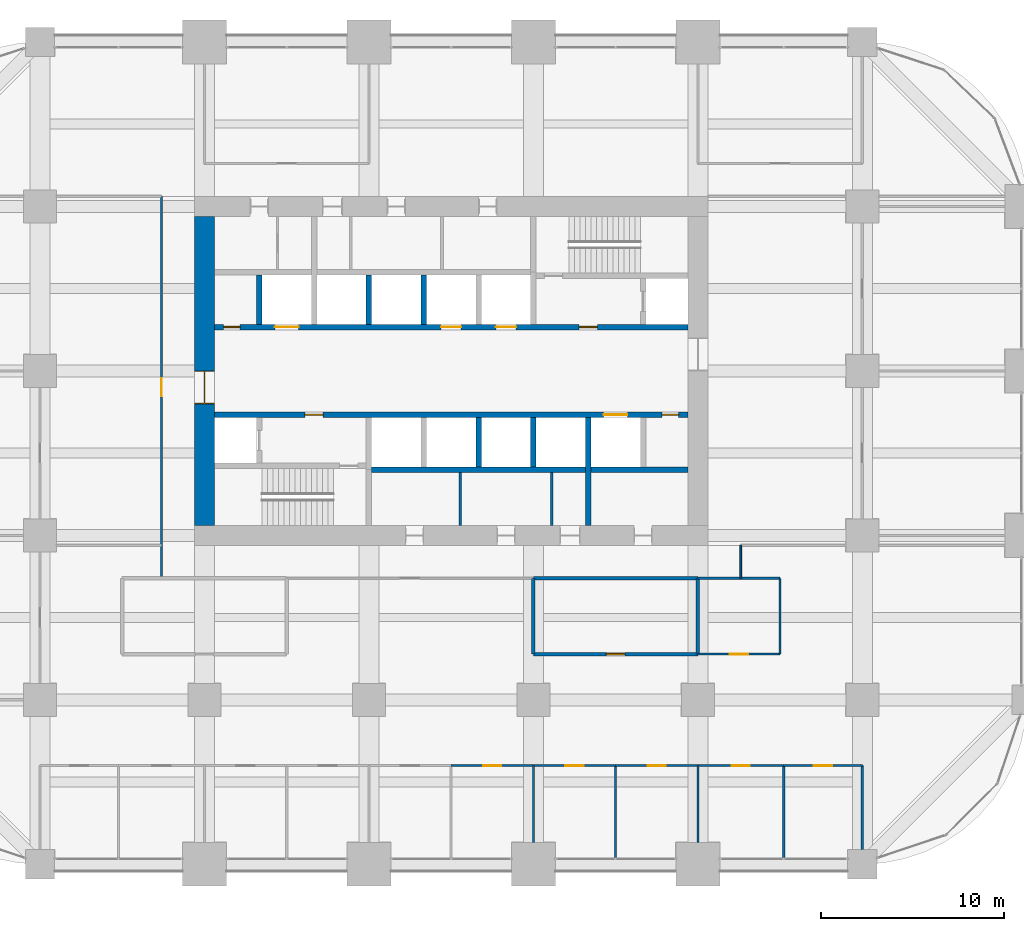
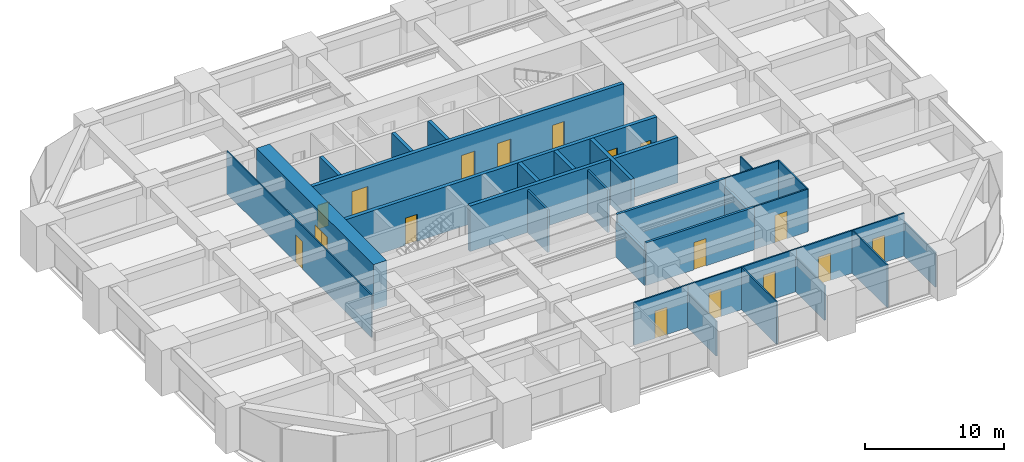
# One storey, part 37 of 40: 31 walls, 17 doors, 17 openings.
"""IFC4 building model written with IfcOpenShell, lengths in metres."""

from ifc_helpers import new_model, si_unit, direction, frame, frame_2d, origin, place, context, subcontext, project, spatial, rectangle, extrude, material, layer, layer_set, type_object, element, fill, save


model = new_model("IFC4")

# Units and contexts
model_context = context("Model", 3, precision=1e-05, world=origin(), true_north=direction((0.0, 1.0)))
body_context = subcontext(model_context, "Body", "Model", "MODEL_VIEW")
ifc_project = project(units=[si_unit("LENGTHUNIT", "METRE"), si_unit("AREAUNIT", "SQUARE_METRE"), si_unit("VOLUMEUNIT", "CUBIC_METRE"), si_unit("PLANEANGLEUNIT", "RADIAN"), si_unit("MASSUNIT", "GRAM", prefix="KILO")], contexts=[model_context])

# Site, building, storey
site_placement = place(None, origin())
site = spatial("IfcSite", under=ifc_project, at=site_placement, CompositionType="ELEMENT")
building_placement = place(site_placement, origin())
building = spatial("IfcBuilding", under=site, at=building_placement, Name="Zorevar Civic Tower", CompositionType="ELEMENT")
storey_placement = place(building_placement, frame((0.0, 0.0, 133.0)))
storey = spatial("IfcBuildingStorey", under=building, at=storey_placement, Name="L32", CompositionType="ELEMENT", Elevation=133.0)

# Wall, opening, door
ifc_material_1 = material(Name="Concrete blockwork", Category="masonry")
ifc_layer_1 = layer(ifc_material_1, 0.199951171875)
ifc_layer_set_1 = layer_set([ifc_layer_1], Name="Blockwork wall 200")
wall_type_1 = type_object("IfcWallType", Name="Blockwork wall 200", PredefinedType="SOLIDWALL", material=ifc_layer_set_1)
wall_1_placement = place(storey_placement, frame((36.0, 11.5, 0.0), z_axis=(0.0, 0.0, 1.0), x_axis=(1.0, 0.0, 0.0)))
wall_1 = element("IfcWall", 1, at=wall_1_placement, inside=storey, type_object=wall_type_1, Name="Blockwork wall 200 L32", PredefinedType="SOLIDWALL", context=body_context, shape_type="SweptSolid", body=[
    extrude(rectangle(XDim=9.0, YDim=0.199951171875, at=frame_2d((4.5, 0.0))), origin(), (0.0, 0.0, 1.0), 3.75),
])
opening_1_placement = place(wall_1_placement, frame((4.0, 0.0, 0.0)))
opening_1 = element("IfcOpeningElement", 2, at=opening_1_placement, cuts=wall_1, Name="Opening L32.28", PredefinedType="OPENING", context=body_context, shape_type="SweptSolid", body=[
    extrude(rectangle(XDim=1.0, YDim=2.39990234375, at=frame_2d((0.5, 1.199951171875))), frame((0.0, 0.10986328125, 0.0), z_axis=(0.0, -1.0, 0.0), x_axis=(1.0, 0.0, 0.0)), (0.0, 0.0, 1.0), 0.219970703125),
])
ifc_material_2 = material(Name="Steel door set", Category="steel")
door_type_1 = type_object("IfcDoorType", Name="Security door SD1 1000x2400", OperationType="SINGLE_SWING_LEFT", PredefinedType="DOOR", material=ifc_material_2)
door_1_placement = place(opening_1_placement, origin())
door_1 = element("IfcDoor", 3, at=door_1_placement, inside=storey, type_object=door_type_1, Name="Door L32 D1", OperationType="SINGLE_SWING_RIGHT", OverallHeight=2.39990234375, OverallWidth=1.0, PredefinedType="DOOR", context=body_context, shape_type="SweptSolid", body=[
    extrude(rectangle(XDim=1.0, YDim=2.39990234375, at=frame_2d((0.5, 1.199951171875))), frame((0.0, 0.03515625, 0.0), z_axis=(0.0, -1.0, 0.0), x_axis=(1.0, 0.0, 0.0)), (0.0, 0.0, 1.0), 0.070068359375),
])
fill(opening_1, door_1)

# Walls
wall_2_placement = place(storey_placement, frame((36.0, 15.64990234375, 0.0), z_axis=(0.0, 0.0, 1.0), x_axis=(1.0, 0.0, 0.0)))
element("IfcWall", 4, at=wall_2_placement, inside=storey, type_object=wall_type_1, Name="Blockwork wall 200 L32", PredefinedType="SOLIDWALL", context=body_context, shape_type="SweptSolid", body=[
    extrude(rectangle(XDim=9.0, YDim=0.199951171875, at=frame_2d((4.5, 0.0))), origin(), (0.0, 0.0, 1.0), 3.75),
])
for number, where, z_axis, x_axis, name in (
    (5, (36.0, 11.5, 0.0), (0.0, 0.0, 1.0), (0.0, 1.0, 0.0), "Blockwork wall 200 L32"),
    (6, (45.0, 11.5, 0.0), (0.0, 0.0, 1.0), (0.0, 1.0, 0.0), "Blockwork wall 200 L32"),
):
    element("IfcWall", number, at=place(storey_placement, frame(where, z_axis=z_axis, x_axis=x_axis)), inside=storey, type_object=wall_type_1, Name=name, PredefinedType="SOLIDWALL", context=body_context, shape_type="SweptSolid", body=[
        extrude(rectangle(XDim=4.14990234375, YDim=0.199951171875, at=frame_2d((2.074951171875, 0.0))), origin(), (0.0, 0.0, 1.0), 3.050048828125),
    ])

# Wall, opening, door
ifc_material_3 = material(Name="Concrete C50/60", Category="concrete")
ifc_layer_2 = layer(ifc_material_3, 1.10009765625)
ifc_layer_set_2 = layer_set([ifc_layer_2], Name="Core wall 1100")
wall_type_2 = type_object("IfcWallType", Name="Core wall 1100", PredefinedType="SHEAR", material=ifc_layer_set_2)
wall_3_placement = place(storey_placement, frame((18.0, 35.449951171875, 0.0), z_axis=(0.0, 0.0, 1.0), x_axis=(0.0, -1.0, 0.0)))
wall_3 = element("IfcWall", 7, at=wall_3_placement, inside=storey, type_object=wall_type_2, Name="Core wall W L32", PredefinedType="SHEAR", context=body_context, shape_type="SweptSolid", body=[
    extrude(rectangle(XDim=16.89990234375, YDim=1.10009765625, at=frame_2d((8.449951171875, 0.0))), origin(), (0.0, 0.0, 1.0), 4.0),
])
opening_2_placement = place(wall_3_placement, frame((8.449951171875, 0.0, 0.0)))
opening_2 = element("IfcOpeningElement", 8, at=opening_2_placement, cuts=wall_3, Name="Opening L32.01", PredefinedType="OPENING", context=body_context, shape_type="SweptSolid", body=[
    extrude(rectangle(XDim=1.800048828125, YDim=2.39990234375, at=frame_2d((0.89990234375, 1.199951171875))), frame((0.0, 0.56005859375, 0.0), z_axis=(0.0, -1.0, 0.0), x_axis=(1.0, 0.0, 0.0)), (0.0, 0.0, 1.0), 1.1201171875),
])
ifc_material_4 = material(Name="Steel door set", Category="steel")
door_type_2 = type_object("IfcDoorType", Name="Fire door FD2 1800x2400", OperationType="DOUBLE_DOOR_DOUBLE_SWING", PredefinedType="DOOR", material=ifc_material_4)
door_2_placement = place(opening_2_placement, origin())
door_2 = element("IfcDoor", 9, at=door_2_placement, inside=storey, type_object=door_type_2, Name="Door L32 00", OperationType="DOUBLE_DOOR_DOUBLE_SWING", OverallHeight=2.39990234375, OverallWidth=1.800048828125, PredefinedType="DOOR", context=body_context, shape_type="SweptSolid", body=[
    extrude(rectangle(XDim=1.800048828125, YDim=2.39990234375, at=frame_2d((0.89990234375, 1.199951171875))), frame((0.0, 0.030029296875, 0.0), z_axis=(0.0, -1.0, 0.0), x_axis=(1.0, 0.0, 0.0)), (0.0, 0.0, 1.0), 0.06005859375),
    extrude(rectangle(XDim=0.04, YDim=2.39990234375, at=frame_2d((0.02001953125, 1.199951171875))), frame((0.0, 0.5498046875, 0.0), z_axis=(0.0, -1.0, 0.0), x_axis=(1.0, 0.0, 0.0)), (0.0, 0.0, 1.0), 1.099609375),
    extrude(rectangle(XDim=0.04, YDim=2.39990234375, at=frame_2d((1.780029296875, 1.199951171875))), frame((0.0, 0.5498046875, 0.0), z_axis=(0.0, -1.0, 0.0), x_axis=(1.0, 0.0, 0.0)), (0.0, 0.0, 1.0), 1.099609375),
    extrude(rectangle(XDim=1.800048828125, YDim=0.04, at=frame_2d((0.89990234375, 2.3798828125))), frame((0.0, 0.5498046875, 0.0), z_axis=(0.0, -1.0, 0.0), x_axis=(1.0, 0.0, 0.0)), (0.0, 0.0, 1.0), 1.099609375),
])
fill(opening_2, door_2)

ifc_material_5 = material(Name="Laminated glass in black aluminium frame", Category="aluminium")
ifc_layer_3 = layer(ifc_material_5, 0.10009765625)
ifc_layer_set_3 = layer_set([ifc_layer_3], Name="Glazed partition 100")
wall_type_3 = type_object("IfcWallType", Name="Glazed partition 100", PredefinedType="PARTITIONING", material=ifc_layer_set_3)
wall_4_placement = place(storey_placement, frame((15.64990234375, 15.64990234375, 0.0), z_axis=(0.0, 0.0, 1.0), x_axis=(0.0, 1.0, 0.0)))
wall_4 = element("IfcWall", 10, at=wall_4_placement, inside=storey, type_object=wall_type_3, Name="Glazed partition 100 L32", PredefinedType="PARTITIONING", context=body_context, shape_type="SweptSolid", body=[
    extrude(rectangle(XDim=20.900146484375, YDim=0.10009765625, at=frame_2d((10.4501953125, 0.0))), origin(), (0.0, 0.0, 1.0), 3.75),
])
opening_3_placement = place(wall_4_placement, frame((9.949951171875, 0.0, 0.0)))
opening_3 = element("IfcOpeningElement", 11, at=opening_3_placement, cuts=wall_4, Name="Opening L32.35", PredefinedType="OPENING", context=body_context, shape_type="SweptSolid", body=[
    extrude(rectangle(XDim=1.0, YDim=2.39990234375, at=frame_2d((0.5, 1.199951171875))), frame((0.0, 0.06005859375, 0.0), z_axis=(0.0, -1.0, 0.0), x_axis=(1.0, 0.0, 0.0)), (0.0, 0.0, 1.0), 0.1201171875),
])
ifc_material_6 = material(Name="Timber door set", Category="wood")
door_type_3 = type_object("IfcDoorType", Name="Glazed door GD1 1000x2400", OperationType="SINGLE_SWING_LEFT", PredefinedType="DOOR", material=ifc_material_6)
door_3_placement = place(opening_3_placement, origin())
door_3 = element("IfcDoor", 12, at=door_3_placement, inside=storey, type_object=door_type_3, Name="Door L32 D1", OperationType="SINGLE_SWING_RIGHT", OverallHeight=2.39990234375, OverallWidth=1.0, PredefinedType="DOOR", context=body_context, shape_type="SweptSolid", body=[
    extrude(rectangle(XDim=1.0, YDim=2.39990234375, at=frame_2d((0.5, 1.199951171875))), frame((0.0, 0.02001953125, 0.0), z_axis=(0.0, -1.0, 0.0), x_axis=(1.0, 0.0, 0.0)), (0.0, 0.0, 1.0), 0.0400390625),
])
fill(opening_3, door_3)

# Wall
wall_5_placement = place(storey_placement, frame((47.35009765625, 15.64990234375, 0.0), z_axis=(0.0, 0.0, 1.0), x_axis=(0.0, 1.0, 0.0)))
element("IfcWall", 13, at=wall_5_placement, inside=storey, type_object=wall_type_3, Name="Glazed partition 100 L32", PredefinedType="PARTITIONING", context=body_context, shape_type="SweptSolid", body=[
    extrude(rectangle(XDim=1.800048828125, YDim=0.10009765625, at=frame_2d((0.89990234375, 0.0))), origin(), (0.0, 0.0, 1.0), 3.75),
])

# Wall, openings, doors
ifc_material_7 = material(Name="Concrete C40/50", Category="concrete")
ifc_layer_4 = layer(ifc_material_7, 0.300048828125)
ifc_layer_set_4 = layer_set([ifc_layer_4], Name="Inner core wall 300")
wall_type_4 = type_object("IfcWallType", Name="Inner core wall 300", PredefinedType="SHEAR", material=ifc_layer_set_4)
wall_6_placement = place(storey_placement, frame((18.550048828125, 24.60009765625, 0.0), z_axis=(0.0, 0.0, 1.0), x_axis=(1.0, 0.0, 0.0)))
wall_6 = element("IfcWall", 14, at=wall_6_placement, inside=storey, type_object=wall_type_4, Name="Inner core wall S03 L32", PredefinedType="SHEAR", context=body_context, shape_type="SweptSolid", body=[
    extrude(rectangle(XDim=25.89990234375, YDim=0.300048828125, at=frame_2d((12.949951171875, 0.0))), origin(), (0.0, 0.0, 1.0), 4.0),
])
opening_4_placement = place(wall_6_placement, frame((4.949951171875, 0.0, 0.0)))
opening_4 = element("IfcOpeningElement", 15, at=opening_4_placement, cuts=wall_6, Name="Opening L32.13", PredefinedType="OPENING", context=body_context, shape_type="SweptSolid", body=[
    extrude(rectangle(XDim=1.0, YDim=2.39990234375, at=frame_2d((0.5, 1.199951171875))), frame((0.0, 0.159912109375, 0.0), z_axis=(0.0, -1.0, 0.0), x_axis=(1.0, 0.0, 0.0)), (0.0, 0.0, 1.0), 0.320068359375),
])
opening_5_placement = place(wall_6_placement, frame((24.5, 0.0, 0.0)))
opening_5 = element("IfcOpeningElement", 16, at=opening_5_placement, cuts=wall_6, Name="Opening L32.15", PredefinedType="OPENING", context=body_context, shape_type="SweptSolid", body=[
    extrude(rectangle(XDim=0.89990234375, YDim=2.10009765625, at=frame_2d((0.449951171875, 1.050048828125))), frame((0.0, 0.159912109375, 0.0), z_axis=(0.0, -1.0, 0.0), x_axis=(1.0, 0.0, 0.0)), (0.0, 0.0, 1.0), 0.320068359375),
])
opening_6_placement = place(wall_6_placement, frame((21.300048828125, 0.0, 0.0)))
opening_6 = element("IfcOpeningElement", 17, at=opening_6_placement, cuts=wall_6, Name="Opening L32.SL1", PredefinedType="OPENING", context=body_context, shape_type="SweptSolid", body=[
    extrude(rectangle(XDim=1.300048828125, YDim=2.39990234375, at=frame_2d((0.64990234375, 1.199951171875))), frame((0.0, 0.159912109375, 0.0), z_axis=(0.0, -1.0, 0.0), x_axis=(1.0, 0.0, 0.0)), (0.0, 0.0, 1.0), 0.320068359375),
])
ifc_material_8 = material(Name="Steel door set", Category="steel")
door_type_4 = type_object("IfcDoorType", Name="Fire door FD1 1000x2400", OperationType="SINGLE_SWING_LEFT", PredefinedType="DOOR", material=ifc_material_8)
door_4_placement = place(opening_4_placement, origin())
door_4 = element("IfcDoor", 18, at=door_4_placement, inside=storey, type_object=door_type_4, Name="Door L32 12", OperationType="SINGLE_SWING_RIGHT", OverallHeight=2.39990234375, OverallWidth=1.0, PredefinedType="DOOR", context=body_context, shape_type="SweptSolid", body=[
    extrude(rectangle(XDim=1.0, YDim=2.39990234375, at=frame_2d((0.5, 1.199951171875))), frame((0.0, 0.030029296875, 0.0), z_axis=(0.0, -1.0, 0.0), x_axis=(1.0, 0.0, 0.0)), (0.0, 0.0, 1.0), 0.06005859375),
])
fill(opening_4, door_4)
ifc_material_9 = material(Name="Steel door set", Category="steel")
door_type_5 = type_object("IfcDoorType", Name="Landing door LD2 1300x2400", OperationType="DOUBLE_DOOR_SLIDING", PredefinedType="DOOR", material=ifc_material_9)
door_5_placement = place(opening_6_placement, origin())
door_5 = element("IfcDoor", 19, at=door_5_placement, inside=storey, type_object=door_type_5, Name="Landing door SL1 L32", OperationType="DOUBLE_DOOR_SLIDING", OverallHeight=2.39990234375, OverallWidth=1.300048828125, PredefinedType="DOOR", context=body_context, shape_type="SweptSolid", body=[
    extrude(rectangle(XDim=1.300048828125, YDim=2.39990234375, at=frame_2d((0.64990234375, 1.199951171875))), frame((0.0, 0.02001953125, 0.0), z_axis=(0.0, -1.0, 0.0), x_axis=(1.0, 0.0, 0.0)), (0.0, 0.0, 1.0), 0.0400390625),
])
fill(opening_6, door_5)
ifc_material_10 = material(Name="Steel door set", Category="steel")
door_type_6 = type_object("IfcDoorType", Name="Riser door RD1 900x2100", OperationType="SINGLE_SWING_LEFT", PredefinedType="DOOR", material=ifc_material_10)
door_6_placement = place(opening_5_placement, origin())
door_6 = element("IfcDoor", 20, at=door_6_placement, inside=storey, type_object=door_type_6, Name="Door L32 14", OperationType="SINGLE_SWING_RIGHT", OverallHeight=2.10009765625, OverallWidth=0.89990234375, PredefinedType="DOOR", context=body_context, shape_type="SweptSolid", body=[
    extrude(rectangle(XDim=0.89990234375, YDim=2.10009765625, at=frame_2d((0.449951171875, 1.050048828125))), frame((0.0, 0.030029296875, 0.0), z_axis=(0.0, -1.0, 0.0), x_axis=(1.0, 0.0, 0.0)), (0.0, 0.0, 1.0), 0.06005859375),
])
fill(opening_5, door_6)

wall_7_placement = place(storey_placement, frame((18.550048828125, 29.39990234375, 0.0), z_axis=(0.0, 0.0, 1.0), x_axis=(1.0, 0.0, 0.0)))
wall_7 = element("IfcWall", 21, at=wall_7_placement, inside=storey, type_object=wall_type_4, Name="Inner core wall N03 L32", PredefinedType="SHEAR", context=body_context, shape_type="SweptSolid", body=[
    extrude(rectangle(XDim=25.89990234375, YDim=0.300048828125, at=frame_2d((12.949951171875, 0.0))), origin(), (0.0, 0.0, 1.0), 4.0),
])
opening_7_placement = place(wall_7_placement, frame((19.949951171875, 0.0, 0.0)))
opening_7 = element("IfcOpeningElement", 22, at=opening_7_placement, cuts=wall_7, Name="Opening L32.14", PredefinedType="OPENING", context=body_context, shape_type="SweptSolid", body=[
    extrude(rectangle(XDim=1.0, YDim=2.39990234375, at=frame_2d((0.5, 1.199951171875))), frame((0.0, 0.159912109375, 0.0), z_axis=(0.0, -1.0, 0.0), x_axis=(1.0, 0.0, 0.0)), (0.0, 0.0, 1.0), 0.320068359375),
])
opening_8_placement = place(wall_7_placement, frame((0.5, 0.0, 0.0)))
opening_8 = element("IfcOpeningElement", 23, at=opening_8_placement, cuts=wall_7, Name="Opening L32.16", PredefinedType="OPENING", context=body_context, shape_type="SweptSolid", body=[
    extrude(rectangle(XDim=0.89990234375, YDim=2.10009765625, at=frame_2d((0.449951171875, 1.050048828125))), frame((0.0, 0.159912109375, 0.0), z_axis=(0.0, -1.0, 0.0), x_axis=(1.0, 0.0, 0.0)), (0.0, 0.0, 1.0), 0.320068359375),
])
opening_9_placement = place(wall_7_placement, frame((15.39990234375, 0.0, 0.0)))
opening_9 = element("IfcOpeningElement", 24, at=opening_9_placement, cuts=wall_7, Name="Opening L32.LM1", PredefinedType="OPENING", context=body_context, shape_type="SweptSolid", body=[
    extrude(rectangle(XDim=1.10009765625, YDim=2.39990234375, at=frame_2d((0.550048828125, 1.199951171875))), frame((0.0, 0.159912109375, 0.0), z_axis=(0.0, -1.0, 0.0), x_axis=(1.0, 0.0, 0.0)), (0.0, 0.0, 1.0), 0.320068359375),
])
opening_10_placement = place(wall_7_placement, frame((12.39990234375, 0.0, 0.0)))
opening_10 = element("IfcOpeningElement", 25, at=opening_10_placement, cuts=wall_7, Name="Opening L32.LM2", PredefinedType="OPENING", context=body_context, shape_type="SweptSolid", body=[
    extrude(rectangle(XDim=1.10009765625, YDim=2.39990234375, at=frame_2d((0.550048828125, 1.199951171875))), frame((0.0, 0.159912109375, 0.0), z_axis=(0.0, -1.0, 0.0), x_axis=(1.0, 0.0, 0.0)), (0.0, 0.0, 1.0), 0.320068359375),
])
opening_11_placement = place(wall_7_placement, frame((3.300048828125, 0.0, 0.0)))
opening_11 = element("IfcOpeningElement", 26, at=opening_11_placement, cuts=wall_7, Name="Opening L32.SL2", PredefinedType="OPENING", context=body_context, shape_type="SweptSolid", body=[
    extrude(rectangle(XDim=1.300048828125, YDim=2.39990234375, at=frame_2d((0.64990234375, 1.199951171875))), frame((0.0, 0.159912109375, 0.0), z_axis=(0.0, -1.0, 0.0), x_axis=(1.0, 0.0, 0.0)), (0.0, 0.0, 1.0), 0.320068359375),
])
door_7_placement = place(opening_7_placement, origin())
door_7 = element("IfcDoor", 27, at=door_7_placement, inside=storey, type_object=door_type_4, Name="Door L32 13", OperationType="SINGLE_SWING_RIGHT", OverallHeight=2.39990234375, OverallWidth=1.0, PredefinedType="DOOR", context=body_context, shape_type="SweptSolid", body=[
    extrude(rectangle(XDim=1.0, YDim=2.39990234375, at=frame_2d((0.5, 1.199951171875))), frame((0.0, 0.030029296875, 0.0), z_axis=(0.0, -1.0, 0.0), x_axis=(1.0, 0.0, 0.0)), (0.0, 0.0, 1.0), 0.06005859375),
])
fill(opening_7, door_7)
ifc_material_11 = material(Name="Steel door set", Category="steel")
door_type_7 = type_object("IfcDoorType", Name="Landing door LD1 1100x2400", OperationType="DOUBLE_DOOR_SLIDING", PredefinedType="DOOR", material=ifc_material_11)
door_8_placement = place(opening_9_placement, origin())
door_8 = element("IfcDoor", 28, at=door_8_placement, inside=storey, type_object=door_type_7, Name="Landing door LM1 L32", OperationType="DOUBLE_DOOR_SLIDING", OverallHeight=2.39990234375, OverallWidth=1.10009765625, PredefinedType="DOOR", context=body_context, shape_type="SweptSolid", body=[
    extrude(rectangle(XDim=1.10009765625, YDim=2.39990234375, at=frame_2d((0.550048828125, 1.199951171875))), frame((0.0, 0.02001953125, 0.0), z_axis=(0.0, -1.0, 0.0), x_axis=(1.0, 0.0, 0.0)), (0.0, 0.0, 1.0), 0.0400390625),
])
fill(opening_9, door_8)
door_9_placement = place(opening_10_placement, origin())
door_9 = element("IfcDoor", 29, at=door_9_placement, inside=storey, type_object=door_type_7, Name="Landing door LM2 L32", OperationType="DOUBLE_DOOR_SLIDING", OverallHeight=2.39990234375, OverallWidth=1.10009765625, PredefinedType="DOOR", context=body_context, shape_type="SweptSolid", body=[
    extrude(rectangle(XDim=1.10009765625, YDim=2.39990234375, at=frame_2d((0.550048828125, 1.199951171875))), frame((0.0, 0.02001953125, 0.0), z_axis=(0.0, -1.0, 0.0), x_axis=(1.0, 0.0, 0.0)), (0.0, 0.0, 1.0), 0.0400390625),
])
fill(opening_10, door_9)
door_10_placement = place(opening_11_placement, origin())
door_10 = element("IfcDoor", 30, at=door_10_placement, inside=storey, type_object=door_type_5, Name="Landing door SL2 L32", OperationType="DOUBLE_DOOR_SLIDING", OverallHeight=2.39990234375, OverallWidth=1.300048828125, PredefinedType="DOOR", context=body_context, shape_type="SweptSolid", body=[
    extrude(rectangle(XDim=1.300048828125, YDim=2.39990234375, at=frame_2d((0.64990234375, 1.199951171875))), frame((0.0, 0.02001953125, 0.0), z_axis=(0.0, -1.0, 0.0), x_axis=(1.0, 0.0, 0.0)), (0.0, 0.0, 1.0), 0.0400390625),
])
fill(opening_11, door_10)
door_11_placement = place(opening_8_placement, origin())
door_11 = element("IfcDoor", 31, at=door_11_placement, inside=storey, type_object=door_type_6, Name="Door L32 15", OperationType="SINGLE_SWING_RIGHT", OverallHeight=2.10009765625, OverallWidth=0.89990234375, PredefinedType="DOOR", context=body_context, shape_type="SweptSolid", body=[
    extrude(rectangle(XDim=0.89990234375, YDim=2.10009765625, at=frame_2d((0.449951171875, 1.050048828125))), frame((0.0, 0.030029296875, 0.0), z_axis=(0.0, -1.0, 0.0), x_axis=(1.0, 0.0, 0.0)), (0.0, 0.0, 1.0), 0.06005859375),
])
fill(opening_8, door_11)

# Walls
wall_8_placement = place(storey_placement, frame((27.14990234375, 21.60009765625, 0.0), z_axis=(0.0, 0.0, 1.0), x_axis=(1.0, 0.0, 0.0)))
element("IfcWall", 32, at=wall_8_placement, inside=storey, type_object=wall_type_4, Name="Inner core wall S04 L32", PredefinedType="SHEAR", context=body_context, shape_type="SweptSolid", body=[
    extrude(rectangle(XDim=17.300048828125, YDim=0.300048828125, at=frame_2d((8.64990234375, 0.0))), origin(), (0.0, 0.0, 1.0), 4.0),
])
for number, where, z_axis, x_axis, name in (
    (33, (33.0, 21.75, 0.0), (0.0, 0.0, 1.0), (0.0, 1.0, 0.0), "Inner core wall S06 L32"),
    (34, (30.0, 29.550048828125, 0.0), (0.0, 0.0, 1.0), (0.0, 1.0, 0.0), "Inner core wall N06 L32"),
    (35, (36.0, 21.75, 0.0), (0.0, 0.0, 1.0), (0.0, 1.0, 0.0), "Inner core wall S07 L32"),
    (36, (27.0, 29.550048828125, 0.0), (0.0, 0.0, 1.0), (0.0, 1.0, 0.0), "Inner core wall N07 L32"),
):
    element("IfcWall", number, at=place(storey_placement, frame(where, z_axis=z_axis, x_axis=x_axis)), inside=storey, type_object=wall_type_4, Name=name, PredefinedType="SHEAR", context=body_context, shape_type="SweptSolid", body=[
        extrude(rectangle(XDim=2.699951171875, YDim=0.300048828125, at=frame_2d((1.35009765625, 0.0))), origin(), (0.0, 0.0, 1.0), 4.0),
    ])
wall_9_placement = place(storey_placement, frame((39.0, 18.550048828125, 0.0), z_axis=(0.0, 0.0, 1.0), x_axis=(0.0, 1.0, 0.0)))
element("IfcWall", 37, at=wall_9_placement, inside=storey, type_object=wall_type_4, Name="Inner core wall S08 L32", PredefinedType="SHEAR", context=body_context, shape_type="SweptSolid", body=[
    extrude(rectangle(XDim=5.89990234375, YDim=0.300048828125, at=frame_2d((2.949951171875, 0.0))), origin(), (0.0, 0.0, 1.0), 4.0),
])
wall_10_placement = place(storey_placement, frame((21.0, 29.550048828125, 0.0), z_axis=(0.0, 0.0, 1.0), x_axis=(0.0, 1.0, 0.0)))
element("IfcWall", 38, at=wall_10_placement, inside=storey, type_object=wall_type_4, Name="Inner core wall N09 L32", PredefinedType="SHEAR", context=body_context, shape_type="SweptSolid", body=[
    extrude(rectangle(XDim=2.699951171875, YDim=0.300048828125, at=frame_2d((1.35009765625, 0.0))), origin(), (0.0, 0.0, 1.0), 4.0),
])

# Wall, opening, door
ifc_material_12 = material(Name="Gypsum board on steel studs", Category="steel")
ifc_layer_5 = layer(ifc_material_12, 0.1201171875)
ifc_layer_set_5 = layer_set([ifc_layer_5], Name="Partition 120")
wall_type_5 = type_object("IfcWallType", Name="Partition 120", PredefinedType="PARTITIONING", material=ifc_layer_set_5)
wall_11_placement = place(storey_placement, frame((31.5, 5.39990234375, 0.0), z_axis=(0.0, 0.0, 1.0), x_axis=(1.0, 0.0, 0.0)))
wall_11 = element("IfcWall", 39, at=wall_11_placement, inside=storey, type_object=wall_type_5, Name="Partition 120 L32", PredefinedType="PARTITIONING", context=body_context, shape_type="SweptSolid", body=[
    extrude(rectangle(XDim=4.5, YDim=0.1201171875, at=frame_2d((2.25, 0.0))), origin(), (0.0, 0.0, 1.0), 3.75),
])
opening_12_placement = place(wall_11_placement, frame((1.75, 0.0, 0.0)))
opening_12 = element("IfcOpeningElement", 40, at=opening_12_placement, cuts=wall_11, Name="Opening L32.22", PredefinedType="OPENING", context=body_context, shape_type="SweptSolid", body=[
    extrude(rectangle(XDim=1.0, YDim=2.39990234375, at=frame_2d((0.5, 1.199951171875))), frame((0.0, 0.070068359375, 0.0), z_axis=(0.0, -1.0, 0.0), x_axis=(1.0, 0.0, 0.0)), (0.0, 0.0, 1.0), 0.14013671875),
])
ifc_material_13 = material(Name="Timber door set", Category="wood")
door_type_8 = type_object("IfcDoorType", Name="Door D1 1000x2400", OperationType="SINGLE_SWING_LEFT", PredefinedType="DOOR", material=ifc_material_13)
door_12_placement = place(opening_12_placement, origin())
door_12 = element("IfcDoor", 41, at=door_12_placement, inside=storey, type_object=door_type_8, Name="Door L32 D1", OperationType="SINGLE_SWING_LEFT", OverallHeight=2.39990234375, OverallWidth=1.0, PredefinedType="DOOR", context=body_context, shape_type="SweptSolid", body=[
    extrude(rectangle(XDim=1.0, YDim=2.39990234375, at=frame_2d((0.5, 1.199951171875))), frame((0.0, 0.02490234375, 0.0), z_axis=(0.0, -1.0, 0.0), x_axis=(1.0, 0.0, 0.0)), (0.0, 0.0, 1.0), 0.050048828125),
])
fill(opening_12, door_12)

wall_12_placement = place(storey_placement, frame((36.0, 5.39990234375, 0.0), z_axis=(0.0, 0.0, 1.0), x_axis=(1.0, 0.0, 0.0)))
wall_12 = element("IfcWall", 42, at=wall_12_placement, inside=storey, type_object=wall_type_5, Name="Partition 120 L32", PredefinedType="PARTITIONING", context=body_context, shape_type="SweptSolid", body=[
    extrude(rectangle(XDim=4.5, YDim=0.1201171875, at=frame_2d((2.25, 0.0))), origin(), (0.0, 0.0, 1.0), 3.75),
])
opening_13_placement = place(wall_12_placement, frame((1.75, 0.0, 0.0)))
opening_13 = element("IfcOpeningElement", 43, at=opening_13_placement, cuts=wall_12, Name="Opening L32.23", PredefinedType="OPENING", context=body_context, shape_type="SweptSolid", body=[
    extrude(rectangle(XDim=1.0, YDim=2.39990234375, at=frame_2d((0.5, 1.199951171875))), frame((0.0, 0.070068359375, 0.0), z_axis=(0.0, -1.0, 0.0), x_axis=(1.0, 0.0, 0.0)), (0.0, 0.0, 1.0), 0.14013671875),
])
door_13_placement = place(opening_13_placement, origin())
door_13 = element("IfcDoor", 44, at=door_13_placement, inside=storey, type_object=door_type_8, Name="Door L32 D1", OperationType="SINGLE_SWING_LEFT", OverallHeight=2.39990234375, OverallWidth=1.0, PredefinedType="DOOR", context=body_context, shape_type="SweptSolid", body=[
    extrude(rectangle(XDim=1.0, YDim=2.39990234375, at=frame_2d((0.5, 1.199951171875))), frame((0.0, 0.02490234375, 0.0), z_axis=(0.0, -1.0, 0.0), x_axis=(1.0, 0.0, 0.0)), (0.0, 0.0, 1.0), 0.050048828125),
])
fill(opening_13, door_13)

wall_13_placement = place(storey_placement, frame((40.5, 5.39990234375, 0.0), z_axis=(0.0, 0.0, 1.0), x_axis=(1.0, 0.0, 0.0)))
wall_13 = element("IfcWall", 45, at=wall_13_placement, inside=storey, type_object=wall_type_5, Name="Partition 120 L32", PredefinedType="PARTITIONING", context=body_context, shape_type="SweptSolid", body=[
    extrude(rectangle(XDim=4.5, YDim=0.1201171875, at=frame_2d((2.25, 0.0))), origin(), (0.0, 0.0, 1.0), 3.75),
])
opening_14_placement = place(wall_13_placement, frame((1.75, 0.0, 0.0)))
opening_14 = element("IfcOpeningElement", 46, at=opening_14_placement, cuts=wall_13, Name="Opening L32.24", PredefinedType="OPENING", context=body_context, shape_type="SweptSolid", body=[
    extrude(rectangle(XDim=1.0, YDim=2.39990234375, at=frame_2d((0.5, 1.199951171875))), frame((0.0, 0.070068359375, 0.0), z_axis=(0.0, -1.0, 0.0), x_axis=(1.0, 0.0, 0.0)), (0.0, 0.0, 1.0), 0.14013671875),
])
door_14_placement = place(opening_14_placement, origin())
door_14 = element("IfcDoor", 47, at=door_14_placement, inside=storey, type_object=door_type_8, Name="Door L32 D1", OperationType="SINGLE_SWING_LEFT", OverallHeight=2.39990234375, OverallWidth=1.0, PredefinedType="DOOR", context=body_context, shape_type="SweptSolid", body=[
    extrude(rectangle(XDim=1.0, YDim=2.39990234375, at=frame_2d((0.5, 1.199951171875))), frame((0.0, 0.02490234375, 0.0), z_axis=(0.0, -1.0, 0.0), x_axis=(1.0, 0.0, 0.0)), (0.0, 0.0, 1.0), 0.050048828125),
])
fill(opening_14, door_14)

wall_14_placement = place(storey_placement, frame((45.0, 5.39990234375, 0.0), z_axis=(0.0, 0.0, 1.0), x_axis=(1.0, 0.0, 0.0)))
wall_14 = element("IfcWall", 48, at=wall_14_placement, inside=storey, type_object=wall_type_5, Name="Partition 120 L32", PredefinedType="PARTITIONING", context=body_context, shape_type="SweptSolid", body=[
    extrude(rectangle(XDim=4.699951171875, YDim=0.1201171875, at=frame_2d((2.35009765625, 0.0))), origin(), (0.0, 0.0, 1.0), 3.75),
])
opening_15_placement = place(wall_14_placement, frame((1.85009765625, 0.0, 0.0)))
opening_15 = element("IfcOpeningElement", 49, at=opening_15_placement, cuts=wall_14, Name="Opening L32.25", PredefinedType="OPENING", context=body_context, shape_type="SweptSolid", body=[
    extrude(rectangle(XDim=1.0, YDim=2.39990234375, at=frame_2d((0.5, 1.199951171875))), frame((0.0, 0.070068359375, 0.0), z_axis=(0.0, -1.0, 0.0), x_axis=(1.0, 0.0, 0.0)), (0.0, 0.0, 1.0), 0.14013671875),
])
door_15_placement = place(opening_15_placement, origin())
door_15 = element("IfcDoor", 50, at=door_15_placement, inside=storey, type_object=door_type_8, Name="Door L32 D1", OperationType="SINGLE_SWING_LEFT", OverallHeight=2.39990234375, OverallWidth=1.0, PredefinedType="DOOR", context=body_context, shape_type="SweptSolid", body=[
    extrude(rectangle(XDim=1.0, YDim=2.39990234375, at=frame_2d((0.5, 1.199951171875))), frame((0.0, 0.02490234375, 0.0), z_axis=(0.0, -1.0, 0.0), x_axis=(1.0, 0.0, 0.0)), (0.0, 0.0, 1.0), 0.050048828125),
])
fill(opening_15, door_15)

wall_15_placement = place(storey_placement, frame((49.699951171875, 5.39990234375, 0.0), z_axis=(0.0, 0.0, 1.0), x_axis=(1.0, 0.0, 0.0)))
wall_15 = element("IfcWall", 51, at=wall_15_placement, inside=storey, type_object=wall_type_5, Name="Partition 120 L32", PredefinedType="PARTITIONING", context=body_context, shape_type="SweptSolid", body=[
    extrude(rectangle(XDim=4.300048828125, YDim=0.1201171875, at=frame_2d((2.14990234375, 0.0))), origin(), (0.0, 0.0, 1.0), 3.75),
])
opening_16_placement = place(wall_15_placement, frame((1.64990234375, 0.0, 0.0)))
opening_16 = element("IfcOpeningElement", 52, at=opening_16_placement, cuts=wall_15, Name="Opening L32.26", PredefinedType="OPENING", context=body_context, shape_type="SweptSolid", body=[
    extrude(rectangle(XDim=1.0, YDim=2.39990234375, at=frame_2d((0.5, 1.199951171875))), frame((0.0, 0.070068359375, 0.0), z_axis=(0.0, -1.0, 0.0), x_axis=(1.0, 0.0, 0.0)), (0.0, 0.0, 1.0), 0.14013671875),
])
door_16_placement = place(opening_16_placement, origin())
door_16 = element("IfcDoor", 53, at=door_16_placement, inside=storey, type_object=door_type_8, Name="Door L32 D1", OperationType="SINGLE_SWING_LEFT", OverallHeight=2.39990234375, OverallWidth=1.0, PredefinedType="DOOR", context=body_context, shape_type="SweptSolid", body=[
    extrude(rectangle(XDim=1.0, YDim=2.39990234375, at=frame_2d((0.5, 1.199951171875))), frame((0.0, 0.02490234375, 0.0), z_axis=(0.0, -1.0, 0.0), x_axis=(1.0, 0.0, 0.0)), (0.0, 0.0, 1.0), 0.050048828125),
])
fill(opening_16, door_16)

wall_16_placement = place(storey_placement, frame((45.0, 11.5, 0.0), z_axis=(0.0, 0.0, 1.0), x_axis=(1.0, 0.0, 0.0)))
wall_16 = element("IfcWall", 54, at=wall_16_placement, inside=storey, type_object=wall_type_5, Name="Partition 120 L32", PredefinedType="PARTITIONING", context=body_context, shape_type="SweptSolid", body=[
    extrude(rectangle(XDim=4.5, YDim=0.1201171875, at=frame_2d((2.25, 0.0))), origin(), (0.0, 0.0, 1.0), 3.75),
])
opening_17_placement = place(wall_16_placement, frame((1.75, 0.0, 0.0)))
opening_17 = element("IfcOpeningElement", 55, at=opening_17_placement, cuts=wall_16, Name="Opening L32.29", PredefinedType="OPENING", context=body_context, shape_type="SweptSolid", body=[
    extrude(rectangle(XDim=1.0, YDim=2.39990234375, at=frame_2d((0.5, 1.199951171875))), frame((0.0, 0.070068359375, 0.0), z_axis=(0.0, -1.0, 0.0), x_axis=(1.0, 0.0, 0.0)), (0.0, 0.0, 1.0), 0.14013671875),
])
door_17_placement = place(opening_17_placement, origin())
door_17 = element("IfcDoor", 56, at=door_17_placement, inside=storey, type_object=door_type_8, Name="Door L32 D1", OperationType="SINGLE_SWING_RIGHT", OverallHeight=2.39990234375, OverallWidth=1.0, PredefinedType="DOOR", context=body_context, shape_type="SweptSolid", body=[
    extrude(rectangle(XDim=1.0, YDim=2.39990234375, at=frame_2d((0.5, 1.199951171875))), frame((0.0, 0.02490234375, 0.0), z_axis=(0.0, -1.0, 0.0), x_axis=(1.0, 0.0, 0.0)), (0.0, 0.0, 1.0), 0.050048828125),
])
fill(opening_17, door_17)

# Walls
wall_17_placement = place(storey_placement, frame((45.0, 15.64990234375, 0.0), z_axis=(0.0, 0.0, 1.0), x_axis=(1.0, 0.0, 0.0)))
element("IfcWall", 57, at=wall_17_placement, inside=storey, type_object=wall_type_5, Name="Partition 120 L32", PredefinedType="PARTITIONING", context=body_context, shape_type="SweptSolid", body=[
    extrude(rectangle(XDim=4.5, YDim=0.1201171875, at=frame_2d((2.25, 0.0))), origin(), (0.0, 0.0, 1.0), 3.75),
])
wall_18_placement = place(storey_placement, frame((36.0, 1.199951171875, 0.0), z_axis=(0.0, 0.0, 1.0), x_axis=(0.0, 1.0, 0.0)))
element("IfcWall", 58, at=wall_18_placement, inside=storey, type_object=wall_type_5, Name="Partition 120 L32", PredefinedType="PARTITIONING", context=body_context, shape_type="SweptSolid", body=[
    extrude(rectangle(XDim=4.199951171875, YDim=0.1201171875, at=frame_2d((2.10009765625, 0.0))), origin(), (0.0, 0.0, 1.0), 3.050048828125),
])
wall_19_placement = place(storey_placement, frame((40.5, 0.31005859375, 0.0), z_axis=(0.0, 0.0, 1.0), x_axis=(0.0, 1.0, 0.0)))
element("IfcWall", 59, at=wall_19_placement, inside=storey, type_object=wall_type_5, Name="Partition 120 L32", PredefinedType="PARTITIONING", context=body_context, shape_type="SweptSolid", body=[
    extrude(rectangle(XDim=5.08984375, YDim=0.1201171875, at=frame_2d((2.544921875, 0.0))), origin(), (0.0, 0.0, 1.0), 3.75),
])
wall_20_placement = place(storey_placement, frame((45.0, 1.199951171875, 0.0), z_axis=(0.0, 0.0, 1.0), x_axis=(0.0, 1.0, 0.0)))
element("IfcWall", 60, at=wall_20_placement, inside=storey, type_object=wall_type_5, Name="Partition 120 L32", PredefinedType="PARTITIONING", context=body_context, shape_type="SweptSolid", body=[
    extrude(rectangle(XDim=4.199951171875, YDim=0.1201171875, at=frame_2d((2.10009765625, 0.0))), origin(), (0.0, 0.0, 1.0), 3.050048828125),
])
wall_21_placement = place(storey_placement, frame((49.5, 11.5, 0.0), z_axis=(0.0, 0.0, 1.0), x_axis=(0.0, 1.0, 0.0)))
element("IfcWall", 61, at=wall_21_placement, inside=storey, type_object=wall_type_5, Name="Partition 120 L32", PredefinedType="PARTITIONING", context=body_context, shape_type="SweptSolid", body=[
    extrude(rectangle(XDim=4.14990234375, YDim=0.1201171875, at=frame_2d((2.074951171875, 0.0))), origin(), (0.0, 0.0, 1.0), 3.75),
])
wall_22_placement = place(storey_placement, frame((49.699951171875, 0.31005859375, 0.0), z_axis=(0.0, 0.0, 1.0), x_axis=(0.0, 1.0, 0.0)))
element("IfcWall", 62, at=wall_22_placement, inside=storey, type_object=wall_type_5, Name="Partition 120 L32", PredefinedType="PARTITIONING", context=body_context, shape_type="SweptSolid", body=[
    extrude(rectangle(XDim=5.08984375, YDim=0.1201171875, at=frame_2d((2.544921875, 0.0))), origin(), (0.0, 0.0, 1.0), 3.75),
])
wall_23_placement = place(storey_placement, frame((54.0, 0.800048828125, 0.0), z_axis=(0.0, 0.0, 1.0), x_axis=(0.0, 1.0, 0.0)))
element("IfcWall", 63, at=wall_23_placement, inside=storey, type_object=wall_type_5, Name="Partition 120 L32", PredefinedType="PARTITIONING", context=body_context, shape_type="SweptSolid", body=[
    extrude(rectangle(XDim=4.599853515625, YDim=0.1201171875, at=frame_2d((2.2998046875, 0.0))), origin(), (0.0, 0.0, 1.0), 3.050048828125),
])
ifc_material_14 = material(Name="Gypsum board on steel studs, moisture resistant", Category="steel")
ifc_layer_6 = layer(ifc_material_14, 0.14990234375)
ifc_layer_set_6 = layer_set([ifc_layer_6], Name="WC partition 150")
wall_type_6 = type_object("IfcWallType", Name="WC partition 150", PredefinedType="PARTITIONING", material=ifc_layer_set_6)
for number, where, z_axis, x_axis, name in (
    (64, (32.0, 18.550048828125, 0.0), (0.0, 0.0, 1.0), (0.0, 1.0, 0.0), "WC partition L32"),
    (65, (37.0, 18.550048828125, 0.0), (0.0, 0.0, 1.0), (0.0, 1.0, 0.0), "WC partition L32"),
):
    element("IfcWall", number, at=place(storey_placement, frame(where, z_axis=z_axis, x_axis=x_axis)), inside=storey, type_object=wall_type_6, Name=name, PredefinedType="PARTITIONING", context=body_context, shape_type="SweptSolid", body=[
        extrude(rectangle(XDim=2.89990234375, YDim=0.14990234375, at=frame_2d((1.449951171875, 0.0))), origin(), (0.0, 0.0, 1.0), 3.75),
    ])

save(model, "model.ifc")
